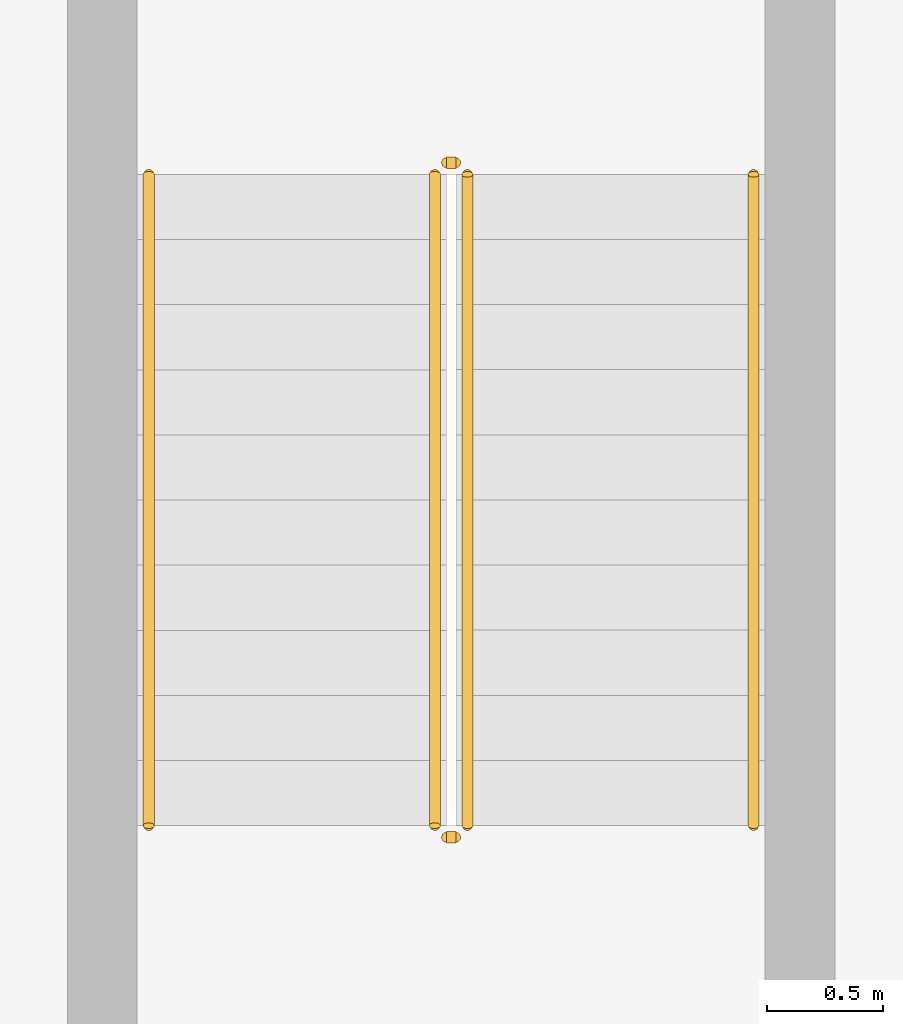
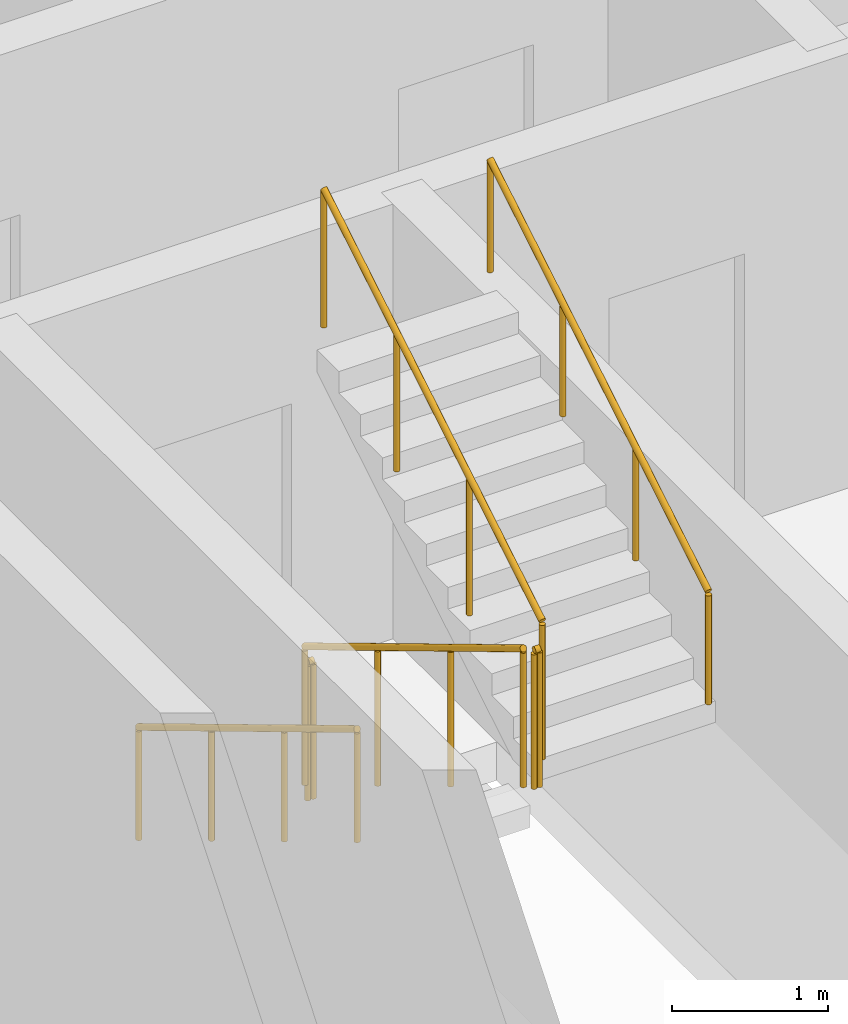
# One storey, part 21 of 23: 6 railings.
"""IFC4 building model written with IfcOpenShell, lengths in metres."""

from ifc_helpers import new_model, si_unit, direction, frame, origin, origin_2d, place, context, subcontext, project, spatial, circle, extrude, material, type_object, element, save


model = new_model("IFC4")

# Units and contexts
model_context = context("Model", 3, precision=1e-05, world=origin(), true_north=direction((0.0, 1.0)))
body_context = subcontext(model_context, "Body", "Model", "MODEL_VIEW")
ifc_project = project(units=[si_unit("LENGTHUNIT", "METRE"), si_unit("AREAUNIT", "SQUARE_METRE"), si_unit("VOLUMEUNIT", "CUBIC_METRE"), si_unit("PLANEANGLEUNIT", "RADIAN"), si_unit("MASSUNIT", "GRAM", prefix="KILO")], contexts=[model_context])

# Site, building, storey
site_placement = place(None, origin())
site = spatial("IfcSite", under=ifc_project, at=site_placement, CompositionType="ELEMENT")
building_placement = place(site_placement, origin())
building = spatial("IfcBuilding", under=site, at=building_placement, Name="Ogive Portal Towers", CompositionType="ELEMENT")
storey_placement = place(building_placement, frame((0.0, 0.0, 127.800048828125)))
storey = spatial("IfcBuildingStorey", under=building, at=storey_placement, Name="L31", CompositionType="ELEMENT", Elevation=127.800048828125)

# Railings
ifc_material_1 = material(Name="Stainless steel balustrade", Category="steel")
railing_type_1 = type_object("IfcRailingType", Name="INT-GUARD", PredefinedType="GUARDRAIL", material=ifc_material_1)
railing_1_placement = place(storey_placement, frame((88.280029296875, 29.169921875, 0.168212890625)))
element("IfcRailing", 1, at=railing_1_placement, inside=storey, type_object=railing_type_1, Name="L31 ST-A4 stair guard 1", PredefinedType="GUARDRAIL", context=body_context, shape_type="SweptSolid", body=[
    extrude(circle(Radius=0.02392578125, at=origin_2d()), frame((0.0, 0.0, 1.076171875), z_axis=(0.0, -0.857255387014, 0.514891446264), x_axis=(1.0, 0.0, 0.0)), (0.0, 0.0, 1.0), 3.26611328125),
    extrude(circle(Radius=0.02099609375, at=origin_2d()), origin(), (0.0, 0.0, 1.0), 1.052001953125),
    extrude(circle(Radius=0.02099609375, at=origin_2d()), frame((0.0, -0.933349609375, 0.560546875)), (0.0, 0.0, 1.0), 1.052001953125),
    extrude(circle(Radius=0.02099609375, at=origin_2d()), frame((0.0, -1.866455078125, 1.12109375)), (0.0, 0.0, 1.0), 1.052001953125),
    extrude(circle(Radius=0.02099609375, at=origin_2d()), frame((0.0, -2.7998046875, 1.681640625)), (0.0, 0.0, 1.0), 1.052001953125),
])
railing_2_placement = place(storey_placement, frame((88.330078125, 26.320068359375, 1.849853515625)))
element("IfcRailing", 2, at=railing_2_placement, inside=storey, type_object=railing_type_1, Name="L31 ST-A4 stair guard 2", PredefinedType="GUARDRAIL", context=body_context, shape_type="SweptSolid", body=[
    extrude(circle(Radius=0.02392578125, at=origin_2d()), frame((0.0, 0.0, 1.076171875), z_axis=(1.0, 0.0, 0.0), x_axis=(0.0, 1.0, 0.0)), (0.0, 0.0, 1.0), 0.0400390625),
    extrude(circle(Radius=0.02099609375, at=origin_2d()), origin(), (0.0, 0.0, 1.0), 1.052001953125),
    extrude(circle(Radius=0.02099609375, at=origin_2d()), frame((0.0400390625, 0.0, 0.0)), (0.0, 0.0, 1.0), 1.052001953125),
])
railing_3_placement = place(storey_placement, frame((88.419921875, 26.3701171875, 2.01806640625)))
element("IfcRailing", 3, at=railing_3_placement, inside=storey, type_object=railing_type_1, Name="L31 ST-A4 stair guard 3", PredefinedType="GUARDRAIL", context=body_context, shape_type="SweptSolid", body=[
    extrude(circle(Radius=0.02392578125, at=origin_2d()), frame((0.0, 0.0, 1.076171875), z_axis=(0.0, 0.857222391501, 0.514946377315), x_axis=(-1.0, 0.0, 0.0)), (0.0, 0.0, 1.0), 3.26611328125),
    extrude(circle(Radius=0.02099609375, at=origin_2d()), origin(), (0.0, 0.0, 1.0), 1.052001953125),
    extrude(circle(Radius=0.02099609375, at=origin_2d()), frame((0.0, 0.933349609375, 0.560546875)), (0.0, 0.0, 1.0), 1.052001953125),
    extrude(circle(Radius=0.02099609375, at=origin_2d()), frame((0.0, 1.866455078125, 1.121337890625)), (0.0, 0.0, 1.0), 1.052001953125),
    extrude(circle(Radius=0.02099609375, at=origin_2d()), frame((0.0, 2.7998046875, 1.681884765625)), (0.0, 0.0, 1.0), 1.052001953125),
])
railing_4_placement = place(storey_placement, frame((88.330078125, 29.219970703125, 0.0)))
element("IfcRailing", 4, at=railing_4_placement, inside=storey, type_object=railing_type_1, Name="L31 ST-A4 stair guard 4", PredefinedType="GUARDRAIL", context=body_context, shape_type="SweptSolid", body=[
    extrude(circle(Radius=0.02392578125, at=origin_2d()), frame((0.0, 0.0, 1.076171875), z_axis=(1.0, 0.0, 0.0), x_axis=(0.0, 1.0, 0.0)), (0.0, 0.0, 1.0), 0.0400390625),
    extrude(circle(Radius=0.02099609375, at=origin_2d()), origin(), (0.0, 0.0, 1.0), 1.052001953125),
    extrude(circle(Radius=0.02099609375, at=origin_2d()), frame((0.0400390625, 0.0, 0.0)), (0.0, 0.0, 1.0), 1.052001953125),
])
ifc_material_2 = material(Name="Stainless steel handrail", Category="steel")
railing_type_2 = type_object("IfcRailingType", Name="INT-HANDRAIL", PredefinedType="HANDRAIL", material=ifc_material_2)
railing_5_placement = place(storey_placement, frame((87.050048828125, 29.169921875, 0.168212890625)))
element("IfcRailing", 5, at=railing_5_placement, inside=storey, type_object=railing_type_2, Name="L31 ST-A4 stair handrail 1", PredefinedType="HANDRAIL", context=body_context, shape_type="SweptSolid", body=[
    extrude(circle(Radius=0.02392578125, at=origin_2d()), frame((0.0, 0.0, 0.8759765625), z_axis=(0.0, -0.857255387014, 0.514891446264), x_axis=(1.0, 0.0, 0.0)), (0.0, 0.0, 1.0), 3.26611328125),
    extrude(circle(Radius=0.02099609375, at=origin_2d()), origin(), (0.0, 0.0, 1.0), 0.851806640625),
    extrude(circle(Radius=0.02099609375, at=origin_2d()), frame((0.0, -0.933349609375, 0.560546875)), (0.0, 0.0, 1.0), 0.851806640625),
    extrude(circle(Radius=0.02099609375, at=origin_2d()), frame((0.0, -1.866455078125, 1.12109375)), (0.0, 0.0, 1.0), 0.851806640625),
    extrude(circle(Radius=0.02099609375, at=origin_2d()), frame((0.0, -2.7998046875, 1.681640625)), (0.0, 0.0, 1.0), 0.851806640625),
])
railing_6_placement = place(storey_placement, frame((89.64990234375, 26.3701171875, 2.01806640625)))
element("IfcRailing", 6, at=railing_6_placement, inside=storey, type_object=railing_type_2, Name="L31 ST-A4 stair handrail 2", PredefinedType="HANDRAIL", context=body_context, shape_type="SweptSolid", body=[
    extrude(circle(Radius=0.02392578125, at=origin_2d()), frame((0.0, 0.0, 0.8759765625), z_axis=(0.0, 0.857222391501, 0.514946377315), x_axis=(-1.0, 0.0, 0.0)), (0.0, 0.0, 1.0), 3.26611328125),
    extrude(circle(Radius=0.02099609375, at=origin_2d()), origin(), (0.0, 0.0, 1.0), 0.851806640625),
    extrude(circle(Radius=0.02099609375, at=origin_2d()), frame((0.0, 0.933349609375, 0.560546875)), (0.0, 0.0, 1.0), 0.851806640625),
    extrude(circle(Radius=0.02099609375, at=origin_2d()), frame((0.0, 1.866455078125, 1.121337890625)), (0.0, 0.0, 1.0), 0.851806640625),
    extrude(circle(Radius=0.02099609375, at=origin_2d()), frame((0.0, 2.7998046875, 1.681884765625)), (0.0, 0.0, 1.0), 0.851806640625),
])

save(model, "model.ifc")
